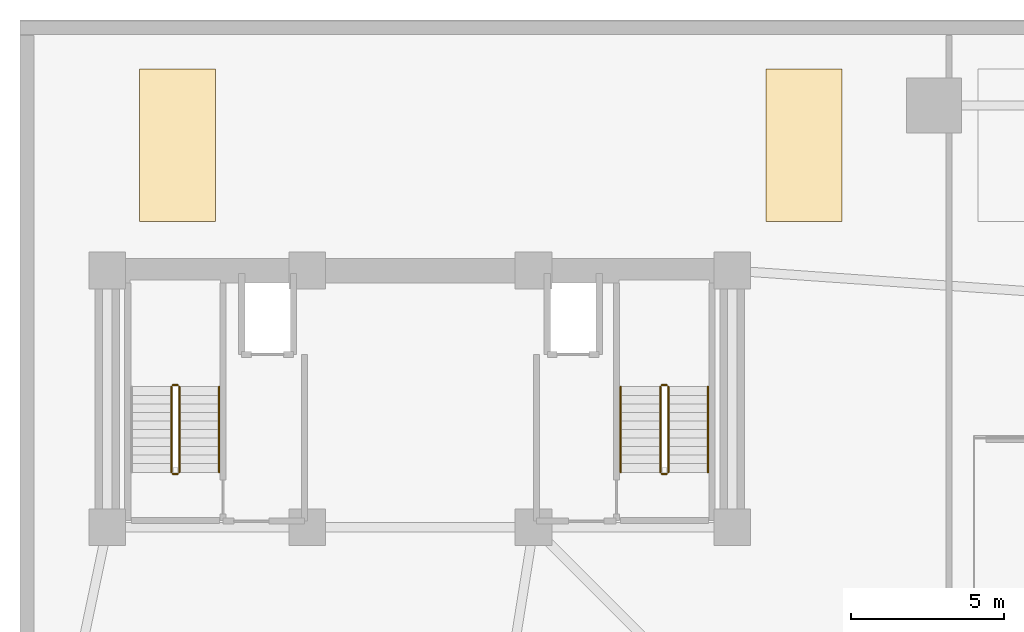
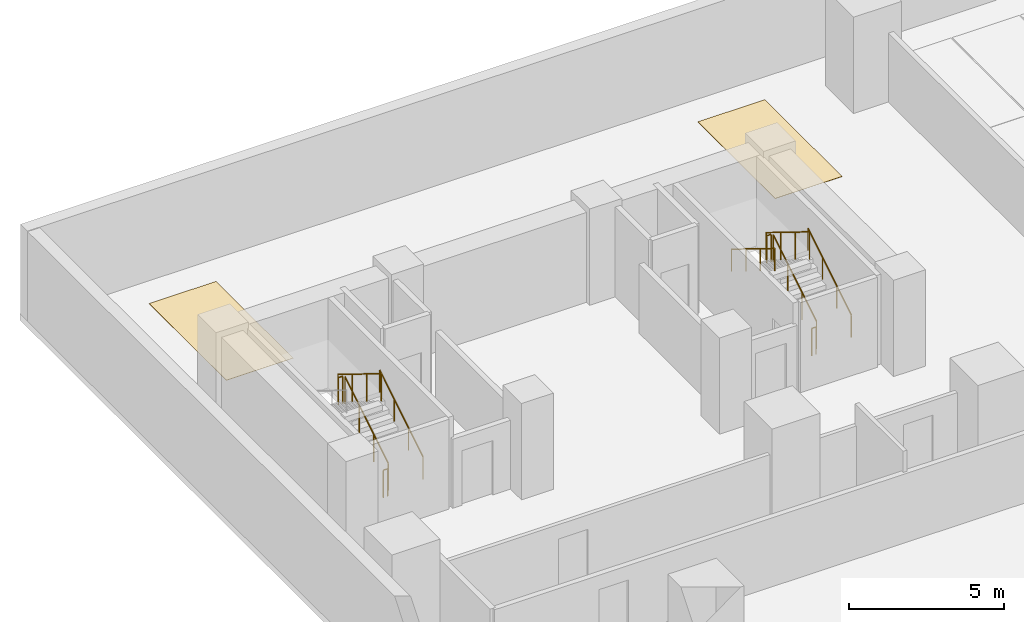
# One storey, part 6 of 9: 11 railings, 2 coverings.
"""IFC4 building model written with IfcOpenShell, lengths in metres."""

from ifc_helpers import new_model, si_unit, direction, frame, origin, origin_2d, place, context, subcontext, project, spatial, polyline, circle, outline, extrude, material, layer, layer_set, type_object, element, save


model = new_model("IFC4")

# Units and contexts
model_context = context("Model", 3, precision=1e-05, world=origin(), true_north=direction((0.0, 1.0)))
body_context = subcontext(model_context, "Body", "Model", "MODEL_VIEW")
ifc_project = project(units=[si_unit("LENGTHUNIT", "METRE"), si_unit("AREAUNIT", "SQUARE_METRE"), si_unit("VOLUMEUNIT", "CUBIC_METRE"), si_unit("PLANEANGLEUNIT", "RADIAN"), si_unit("MASSUNIT", "GRAM", prefix="KILO")], contexts=[model_context])

# Site, building, storey
site_placement = place(None, origin())
site = spatial("IfcSite", under=ifc_project, at=site_placement, CompositionType="ELEMENT")
building_placement = place(site_placement, origin())
building = spatial("IfcBuilding", under=site, at=building_placement, Name="Kuzgunbayir Cultural Tower", CompositionType="ELEMENT")
storey_placement = place(building_placement, frame((0.0, 0.0, -7.60009765625)))
storey = spatial("IfcBuildingStorey", under=building, at=storey_placement, Name="B02", CompositionType="ELEMENT", Elevation=-7.60009765625)

# Coverings
ifc_material_1 = material(Name="Epoxy Car Park Deck Coating", Category="finish")
ifc_layer_1 = layer(ifc_material_1, 0.006103515625)
ifc_layer_set_1 = layer_set([ifc_layer_1], Name="Epoxy Car Park Deck Coating")
covering_type = type_object("IfcCoveringType", Name="COV-PARK-BAY", PredefinedType="FLOORING", material=ifc_layer_set_1)
covering_1_placement = place(storey_placement, origin())
element("IfcCovering", 1, at=covering_1_placement, inside=storey, type_object=covering_type, Name="B02-P026 Car Parking Bay Marking", PredefinedType="FLOORING", context=body_context, shape_type="SweptSolid", body=[
    extrude(outline(polyline([(7.5, 43.800048828125), (10.0, 43.800048828125), (10.0, 48.800048828125), (7.5, 48.800048828125), (7.5, 43.800048828125)])), origin(), (0.0, 0.0, 1.0), 0.010009765625),
])
covering_2_placement = place(storey_placement, origin())
element("IfcCovering", 2, at=covering_2_placement, inside=storey, type_object=covering_type, Name="B02-P027 Car Parking Bay Marking", PredefinedType="FLOORING", context=body_context, shape_type="SweptSolid", body=[
    extrude(outline(polyline([(28.0, 43.800048828125), (30.5, 43.800048828125), (30.5, 48.800048828125), (28.0, 48.800048828125), (28.0, 43.800048828125)])), origin(), (0.0, 0.0, 1.0), 0.010009765625),
])

# Railings
ifc_material_2 = material(Name="Brushed Stainless Steel", Category="steel")
ifc_layer_2 = layer(ifc_material_2, 0.050048828125)
ifc_layer_set_2 = layer_set([ifc_layer_2], Name="Brushed Stainless Steel")
railing_type_1 = type_object("IfcRailingType", Name="RLG-STAIR-HANDRAIL", PredefinedType="HANDRAIL", material=ifc_layer_set_2)
for number, where, name in (
    (3, (10.110107421875, 35.60009765625, 0.1728515625), "B02 ST-1 stair handrail 1"),
    (4, (26.110107421875, 35.60009765625, 0.1728515625), "B02 ST-2 stair handrail 1"),
):
    element("IfcRailing", number, at=place(storey_placement, frame(where)), inside=storey, type_object=railing_type_1, Name=name, PredefinedType="HANDRAIL", context=body_context, shape_type="SweptSolid", body=[
        extrude(circle(Radius=0.02392578125, at=origin_2d()), frame((0.0, 0.0, 0.8759765625), z_axis=(0.0, 0.851069175582, 0.525053576669), x_axis=(-1.0, 0.0, 0.0)), (0.0, 0.0, 1.0), 3.289794921875),
        extrude(circle(Radius=0.02099609375, at=origin_2d()), origin(), (0.0, 0.0, 1.0), 0.851806640625),
        extrude(circle(Radius=0.02099609375, at=origin_2d()), frame((0.0, 0.933349609375, 0.57568359375)), (0.0, 0.0, 1.0), 0.851806640625),
        extrude(circle(Radius=0.02099609375, at=origin_2d()), frame((0.0, 1.866455078125, 1.151611328125)), (0.0, 0.0, 1.0), 0.851806640625),
        extrude(circle(Radius=0.02099609375, at=origin_2d()), frame((0.0, 2.7998046875, 1.727294921875)), (0.0, 0.0, 1.0), 0.851806640625),
    ])
railing_1_placement = place(storey_placement, frame((23.25, 38.39990234375, 2.07275390625)))
element("IfcRailing", 5, at=railing_1_placement, inside=storey, type_object=railing_type_1, Name="B02 ST-2 stair handrail 2", PredefinedType="HANDRAIL", context=body_context, shape_type="SweptSolid", body=[
    extrude(circle(Radius=0.02392578125, at=origin_2d()), frame((0.0, 0.0, 0.8759765625), z_axis=(0.0, -0.851069175582, 0.525053576669), x_axis=(1.0, 0.0, 0.0)), (0.0, 0.0, 1.0), 3.289794921875),
    extrude(circle(Radius=0.02099609375, at=origin_2d()), origin(), (0.0, 0.0, 1.0), 0.851806640625),
    extrude(circle(Radius=0.02099609375, at=origin_2d()), frame((0.0, -0.933349609375, 0.57568359375)), (0.0, 0.0, 1.0), 0.851806640625),
    extrude(circle(Radius=0.02099609375, at=origin_2d()), frame((0.0, -1.866455078125, 1.151611328125)), (0.0, 0.0, 1.0), 0.851806640625),
    extrude(circle(Radius=0.02099609375, at=origin_2d()), frame((0.0, -2.7998046875, 1.727294921875)), (0.0, 0.0, 1.0), 0.851806640625),
])
ifc_material_3 = material(Name="Painted Steel Balustrade", Category="steel")
ifc_layer_3 = layer(ifc_material_3, 0.06005859375)
ifc_layer_set_3 = layer_set([ifc_layer_3], Name="Painted Steel Balustrade")
railing_type_2 = type_object("IfcRailingType", Name="RLG-WELL-GUARD", PredefinedType="GUARDRAIL", material=ifc_layer_set_3)
railing_2_placement = place(storey_placement, frame((8.81005859375, 35.60009765625, 0.1728515625)))
element("IfcRailing", 6, at=railing_2_placement, inside=storey, type_object=railing_type_2, Name="B02 ST-1 stair guard 1", PredefinedType="GUARDRAIL", context=body_context, shape_type="SweptSolid", body=[
    extrude(circle(Radius=0.02392578125, at=origin_2d()), frame((0.0, 0.0, 1.076171875), z_axis=(0.0, 0.851069175582, 0.525053576669), x_axis=(-1.0, 0.0, 0.0)), (0.0, 0.0, 1.0), 3.289794921875),
    extrude(circle(Radius=0.02099609375, at=origin_2d()), origin(), (0.0, 0.0, 1.0), 1.052001953125),
    extrude(circle(Radius=0.02099609375, at=origin_2d()), frame((0.0, 0.933349609375, 0.57568359375)), (0.0, 0.0, 1.0), 1.052001953125),
    extrude(circle(Radius=0.02099609375, at=origin_2d()), frame((0.0, 1.866455078125, 1.151611328125)), (0.0, 0.0, 1.0), 1.052001953125),
    extrude(circle(Radius=0.02099609375, at=origin_2d()), frame((0.0, 2.7998046875, 1.727294921875)), (0.0, 0.0, 1.0), 1.052001953125),
])
railing_3_placement = place(storey_placement, frame((8.760009765625, 38.449951171875, 1.900146484375)))
element("IfcRailing", 7, at=railing_3_placement, inside=storey, type_object=railing_type_2, Name="B02 ST-1 stair guard 2", PredefinedType="GUARDRAIL", context=body_context, shape_type="SweptSolid", body=[
    extrude(circle(Radius=0.02392578125, at=origin_2d()), frame((0.0, 0.0, 1.076171875), z_axis=(-1.0, 0.0, 0.0), x_axis=(0.0, -1.0, 0.0)), (0.0, 0.0, 1.0), 0.159912109375),
    extrude(circle(Radius=0.02099609375, at=origin_2d()), origin(), (0.0, 0.0, 1.0), 1.052001953125),
    extrude(circle(Radius=0.02099609375, at=origin_2d()), frame((-0.159912109375, 0.0, 0.0)), (0.0, 0.0, 1.0), 1.052001953125),
])
railing_4_placement = place(storey_placement, frame((8.550048828125, 38.39990234375, 2.07275390625)))
element("IfcRailing", 8, at=railing_4_placement, inside=storey, type_object=railing_type_2, Name="B02 ST-1 stair guard 3", PredefinedType="GUARDRAIL", context=body_context, shape_type="SweptSolid", body=[
    extrude(circle(Radius=0.02392578125, at=origin_2d()), frame((0.0, 0.0, 1.076171875), z_axis=(0.0, -0.851069175582, 0.525053576669), x_axis=(1.0, 0.0, 0.0)), (0.0, 0.0, 1.0), 3.289794921875),
    extrude(circle(Radius=0.02099609375, at=origin_2d()), origin(), (0.0, 0.0, 1.0), 1.052001953125),
    extrude(circle(Radius=0.02099609375, at=origin_2d()), frame((0.0, -0.933349609375, 0.57568359375)), (0.0, 0.0, 1.0), 1.052001953125),
    extrude(circle(Radius=0.02099609375, at=origin_2d()), frame((0.0, -1.866455078125, 1.151611328125)), (0.0, 0.0, 1.0), 1.052001953125),
    extrude(circle(Radius=0.02099609375, at=origin_2d()), frame((0.0, -2.7998046875, 1.727294921875)), (0.0, 0.0, 1.0), 1.052001953125),
])
railing_5_placement = place(storey_placement, frame((8.760009765625, 35.550048828125, 0.0)))
element("IfcRailing", 9, at=railing_5_placement, inside=storey, type_object=railing_type_2, Name="B02 ST-1 stair guard 4", PredefinedType="GUARDRAIL", context=body_context, shape_type="SweptSolid", body=[
    extrude(circle(Radius=0.02392578125, at=origin_2d()), frame((0.0, 0.0, 1.076171875), z_axis=(-1.0, 0.0, 0.0), x_axis=(0.0, -1.0, 0.0)), (0.0, 0.0, 1.0), 0.159912109375),
    extrude(circle(Radius=0.02099609375, at=origin_2d()), origin(), (0.0, 0.0, 1.0), 1.052001953125),
    extrude(circle(Radius=0.02099609375, at=origin_2d()), frame((-0.159912109375, 0.0, 0.0)), (0.0, 0.0, 1.0), 1.052001953125),
])
railing_6_placement = place(storey_placement, frame((24.81005859375, 35.60009765625, 0.1728515625)))
element("IfcRailing", 10, at=railing_6_placement, inside=storey, type_object=railing_type_2, Name="B02 ST-2 stair guard 1", PredefinedType="GUARDRAIL", context=body_context, shape_type="SweptSolid", body=[
    extrude(circle(Radius=0.02392578125, at=origin_2d()), frame((0.0, 0.0, 1.076171875), z_axis=(0.0, 0.851069175582, 0.525053576669), x_axis=(-1.0, 0.0, 0.0)), (0.0, 0.0, 1.0), 3.289794921875),
    extrude(circle(Radius=0.02099609375, at=origin_2d()), origin(), (0.0, 0.0, 1.0), 1.052001953125),
    extrude(circle(Radius=0.02099609375, at=origin_2d()), frame((0.0, 0.933349609375, 0.57568359375)), (0.0, 0.0, 1.0), 1.052001953125),
    extrude(circle(Radius=0.02099609375, at=origin_2d()), frame((0.0, 1.866455078125, 1.151611328125)), (0.0, 0.0, 1.0), 1.052001953125),
    extrude(circle(Radius=0.02099609375, at=origin_2d()), frame((0.0, 2.7998046875, 1.727294921875)), (0.0, 0.0, 1.0), 1.052001953125),
])
railing_7_placement = place(storey_placement, frame((24.760009765625, 38.449951171875, 1.900146484375)))
element("IfcRailing", 11, at=railing_7_placement, inside=storey, type_object=railing_type_2, Name="B02 ST-2 stair guard 2", PredefinedType="GUARDRAIL", context=body_context, shape_type="SweptSolid", body=[
    extrude(circle(Radius=0.02392578125, at=origin_2d()), frame((0.0, 0.0, 1.076171875), z_axis=(-1.0, 0.0, 0.0), x_axis=(0.0, -1.0, 0.0)), (0.0, 0.0, 1.0), 0.159912109375),
    extrude(circle(Radius=0.02099609375, at=origin_2d()), origin(), (0.0, 0.0, 1.0), 1.052001953125),
    extrude(circle(Radius=0.02099609375, at=origin_2d()), frame((-0.159912109375, 0.0, 0.0)), (0.0, 0.0, 1.0), 1.052001953125),
])
railing_8_placement = place(storey_placement, frame((24.550048828125, 38.39990234375, 2.07275390625)))
element("IfcRailing", 12, at=railing_8_placement, inside=storey, type_object=railing_type_2, Name="B02 ST-2 stair guard 3", PredefinedType="GUARDRAIL", context=body_context, shape_type="SweptSolid", body=[
    extrude(circle(Radius=0.02392578125, at=origin_2d()), frame((0.0, 0.0, 1.076171875), z_axis=(0.0, -0.851069175582, 0.525053576669), x_axis=(1.0, 0.0, 0.0)), (0.0, 0.0, 1.0), 3.289794921875),
    extrude(circle(Radius=0.02099609375, at=origin_2d()), origin(), (0.0, 0.0, 1.0), 1.052001953125),
    extrude(circle(Radius=0.02099609375, at=origin_2d()), frame((0.0, -0.933349609375, 0.57568359375)), (0.0, 0.0, 1.0), 1.052001953125),
    extrude(circle(Radius=0.02099609375, at=origin_2d()), frame((0.0, -1.866455078125, 1.151611328125)), (0.0, 0.0, 1.0), 1.052001953125),
    extrude(circle(Radius=0.02099609375, at=origin_2d()), frame((0.0, -2.7998046875, 1.727294921875)), (0.0, 0.0, 1.0), 1.052001953125),
])
railing_9_placement = place(storey_placement, frame((24.760009765625, 35.550048828125, 0.0)))
element("IfcRailing", 13, at=railing_9_placement, inside=storey, type_object=railing_type_2, Name="B02 ST-2 stair guard 4", PredefinedType="GUARDRAIL", context=body_context, shape_type="SweptSolid", body=[
    extrude(circle(Radius=0.02392578125, at=origin_2d()), frame((0.0, 0.0, 1.076171875), z_axis=(-1.0, 0.0, 0.0), x_axis=(0.0, -1.0, 0.0)), (0.0, 0.0, 1.0), 0.159912109375),
    extrude(circle(Radius=0.02099609375, at=origin_2d()), origin(), (0.0, 0.0, 1.0), 1.052001953125),
    extrude(circle(Radius=0.02099609375, at=origin_2d()), frame((-0.159912109375, 0.0, 0.0)), (0.0, 0.0, 1.0), 1.052001953125),
])

save(model, "model.ifc")
